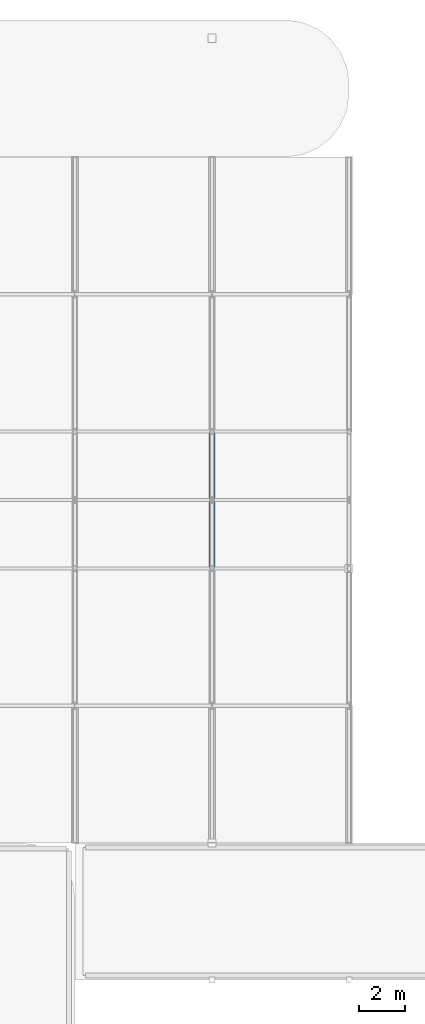
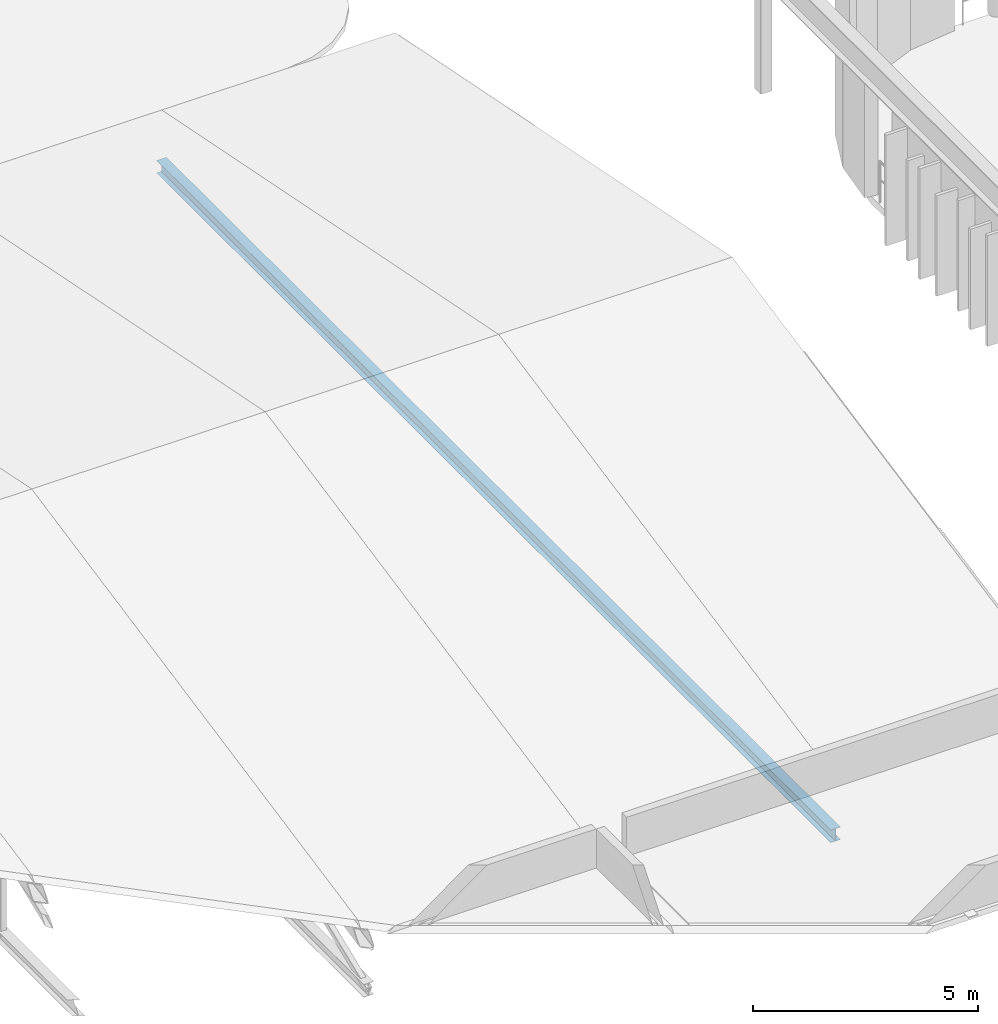
# One storey, part 37 of 83: 1 member.
"""IFC4 building model written with IfcOpenShell, lengths in metres."""

from ifc_helpers import new_model, si_unit, direction, frame, origin, origin_2d, place, context, subcontext, project, spatial, i_section, extrude, material, material_profile, profile_set, type_object, element, save


model = new_model("IFC4")

# Units and contexts
model_context = context("Model", 3, precision=1e-05, world=origin(), true_north=direction((0.0, 1.0)))
body_context = subcontext(model_context, "Body", "Model", "MODEL_VIEW")
ifc_project = project(units=[si_unit("LENGTHUNIT", "METRE"), si_unit("AREAUNIT", "SQUARE_METRE"), si_unit("VOLUMEUNIT", "CUBIC_METRE"), si_unit("PLANEANGLEUNIT", "RADIAN"), si_unit("MASSUNIT", "GRAM", prefix="KILO")], contexts=[model_context])

# Site, building, storey
site_placement = place(None, origin())
site = spatial("IfcSite", under=ifc_project, at=site_placement, CompositionType="ELEMENT")
building_placement = place(site_placement, origin())
building = spatial("IfcBuilding", under=site, at=building_placement, Name="Varnakota Square Police Headquarters", CompositionType="ELEMENT")
storey_placement = place(building_placement, frame((0.0, 0.0, 18.0)))
storey = spatial("IfcBuildingStorey", under=building, at=storey_placement, Name="L04", CompositionType="ELEMENT", Elevation=18.0)

# Member
ifc_material = material(Name="Steel IS 2062 Grade 350", Category="steel")
ifc_material_profile = material_profile(ifc_material, i_section(OverallWidth=0.25, OverallDepth=0.35009765625, WebThickness=0.010009765625, FlangeThickness=0.01171875, FilletRadius=0.011962890625, at=origin_2d()), Name="ISHB 350")
ifc_profile_set = profile_set([ifc_material_profile], Name="Steel IS 2062 Grade 350")
member_type = type_object("IfcMemberType", Name="MEM-TRCH-ISHB350", PredefinedType="CHORD", material=ifc_profile_set)
member_placement = place(storey_placement, frame((48.0, 75.0, -1.5), z_axis=(0.0, 1.0, 0.0), x_axis=(-1.0, 0.0, 0.0)))
element("IfcMember", 1, at=member_placement, inside=storey, type_object=member_type, Name="ROOF TRUSS bottom chord T7", PredefinedType="CHORD", context=body_context, shape_type="SweptSolid", body=[
    extrude(i_section(OverallWidth=0.25, OverallDepth=0.35009765625, WebThickness=0.010009765625, FlangeThickness=0.01171875, FilletRadius=0.011962890625, at=origin_2d()), origin(), (0.0, 0.0, 1.0), 30.0),
])

save(model, "model.ifc")
